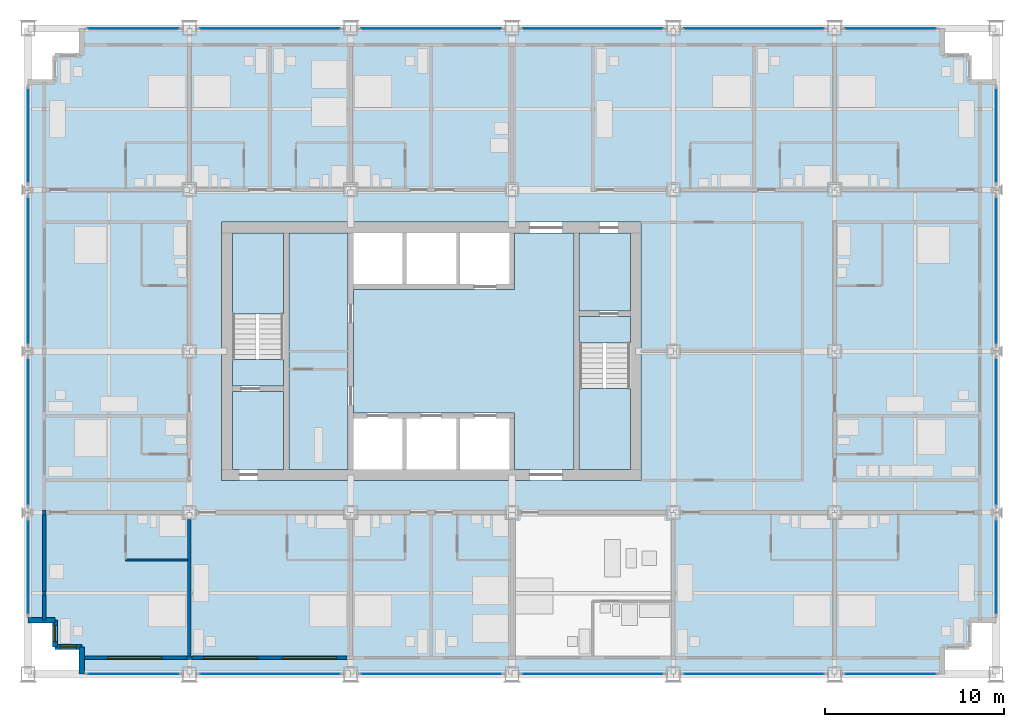
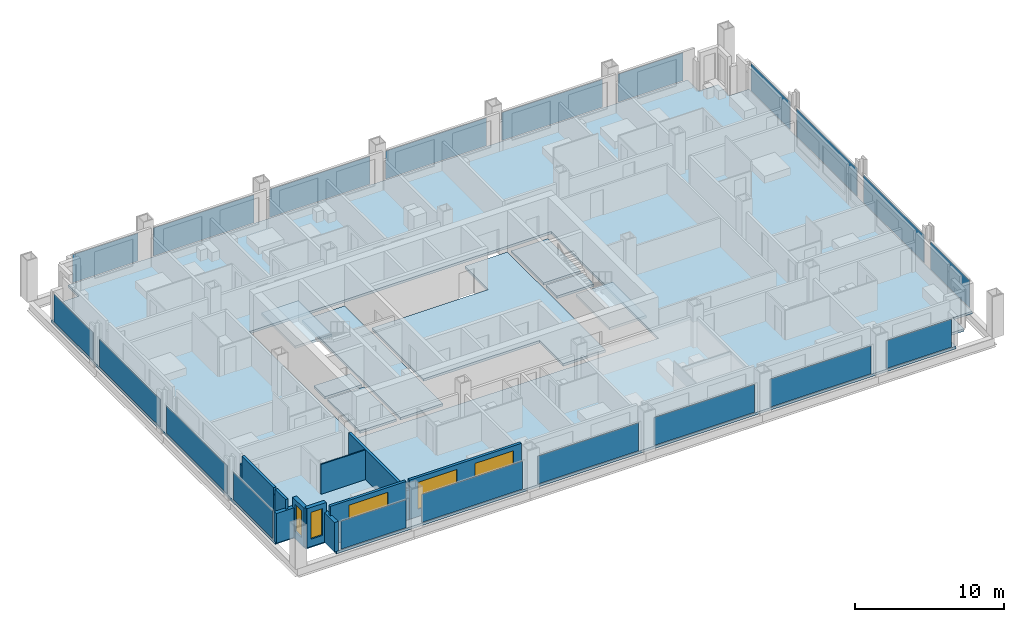
# One storey, part 9 of 18: 20 plates, 13 walls, 9 slabs, 5 windows, 5 openings, 22 elements without a shape of their own.
"""IFC4 building model written with IfcOpenShell, lengths in metres."""

from ifc_helpers import new_model, si_unit, direction, frame, frame_2d, origin, origin_2d, place, context, subcontext, project, spatial, polyline, rectangle, outline, extrude, material, layer, layer_set, type_object, element, fill, aggregate, save


model = new_model("IFC4")

# Units and contexts
model_context = context("Model", 3, precision=1e-05, world=origin(), true_north=direction((0.0, 1.0)))
body_context = subcontext(model_context, "Body", "Model", "MODEL_VIEW")
ifc_project = project(units=[si_unit("LENGTHUNIT", "METRE"), si_unit("AREAUNIT", "SQUARE_METRE"), si_unit("VOLUMEUNIT", "CUBIC_METRE"), si_unit("PLANEANGLEUNIT", "RADIAN"), si_unit("MASSUNIT", "GRAM", prefix="KILO")], contexts=[model_context])

# Site, building, storey
site_placement = place(None, origin())
site = spatial("IfcSite", under=ifc_project, at=site_placement, CompositionType="ELEMENT")
building_placement = place(site_placement, origin())
building = spatial("IfcBuilding", under=site, at=building_placement, Name="Loomwork Tower", CompositionType="ELEMENT")
storey_placement = place(building_placement, frame((0.0, 0.0, 65.39990234375)))
storey = spatial("IfcBuildingStorey", under=building, at=storey_placement, Name="L16", CompositionType="ELEMENT", Elevation=65.39990234375)

# Slabs
ifc_material_1 = material(Name="Concrete 5000 psi (34 MPa) on composite metal deck", Category="concrete")
ifc_layer_1 = layer(ifc_material_1, 0.199951171875)
ifc_layer_set_1 = layer_set([ifc_layer_1], Name="Floor slab 200")
slab_type_1 = type_object("IfcSlabType", Name="Floor slab 200", PredefinedType="FLOOR", material=ifc_layer_set_1)
slab_1_placement = place(storey_placement, frame((0.0, 0.0, -0.199951171875)))
element("IfcSlab", 1, at=slab_1_placement, inside=storey, type_object=slab_type_1, Name="Floor slab L16", PredefinedType="FLOOR", context=body_context, shape_type="SweptSolid", body=[
    extrude(outline(polyline([(3.0, 1.5), (1.5, 1.5), (1.5, 3.0), (0.0, 3.0), (0.0, 33.0), (1.5, 33.0), (1.5, 34.5), (3.0, 34.5), (3.0, 36.0), (51.0, 36.0), (51.0, 34.5), (52.5, 34.5), (52.5, 33.0), (54.0, 33.0), (54.0, 3.0), (52.5, 3.0), (52.5, 1.5), (51.0, 1.5), (51.0, 0.0), (3.0, 0.0), (3.0, 1.5)]), holes=[polyline([(10.800048828125, 11.39990234375), (10.800048828125, 11.39990234375), (10.800048828125, 10.800048828125), (34.199951171875, 10.800048828125), (34.199951171875, 11.39990234375), (34.199951171875, 11.39990234375), (34.199951171875, 24.60009765625), (34.199951171875, 25.199951171875), (10.800048828125, 25.199951171875), (10.800048828125, 24.60009765625), (10.800048828125, 11.39990234375)])]), origin(), (0.0, 0.0, 1.0), 0.199951171875),
])
slab_2_placement = place(storey_placement, frame((0.0, 0.0, -0.199951171875)))
element("IfcSlab", 2, at=slab_2_placement, inside=storey, type_object=slab_type_1, Name="Floor slab L16", PredefinedType="FLOOR", context=body_context, shape_type="SweptSolid", body=[
    extrude(outline(polyline([(30.449951171875, 24.60009765625), (30.449951171875, 11.39990234375), (27.14990234375, 11.39990234375), (27.14990234375, 14.25), (27.14990234375, 14.550048828125), (18.14990234375, 14.550048828125), (18.14990234375, 21.449951171875), (27.14990234375, 21.449951171875), (27.14990234375, 21.75), (27.14990234375, 24.60009765625), (30.449951171875, 24.60009765625)])), origin(), (0.0, 0.0, 1.0), 0.199951171875),
])
slab_3_placement = place(storey_placement, frame((0.0, 0.0, -0.199951171875)))
element("IfcSlab", 3, at=slab_3_placement, inside=storey, type_object=slab_type_1, Name="Floor slab L16", PredefinedType="FLOOR", context=body_context, shape_type="SweptSolid", body=[
    extrude(outline(polyline([(14.550048828125, 11.39990234375), (14.550048828125, 24.60009765625), (17.85009765625, 24.60009765625), (17.85009765625, 11.39990234375), (14.550048828125, 11.39990234375)])), origin(), (0.0, 0.0, 1.0), 0.199951171875),
])
slab_4_placement = place(storey_placement, frame((0.0, 0.0, -0.199951171875)))
element("IfcSlab", 4, at=slab_4_placement, inside=storey, type_object=slab_type_1, Name="Floor slab L16", PredefinedType="FLOOR", context=body_context, shape_type="SweptSolid", body=[
    extrude(outline(polyline([(33.60009765625, 20.25), (30.75, 20.25), (30.75, 24.60009765625), (33.60009765625, 24.60009765625), (33.60009765625, 20.25)])), origin(), (0.0, 0.0, 1.0), 0.199951171875),
])
slab_5_placement = place(storey_placement, frame((0.0, 0.0, -0.199951171875)))
element("IfcSlab", 5, at=slab_5_placement, inside=storey, type_object=slab_type_1, Name="Floor slab L16", PredefinedType="FLOOR", context=body_context, shape_type="SweptSolid", body=[
    extrude(outline(polyline([(14.25, 15.75), (14.25, 11.39990234375), (11.39990234375, 11.39990234375), (11.39990234375, 15.75), (14.25, 15.75)])), origin(), (0.0, 0.0, 1.0), 0.199951171875),
])

# Curtain wall, plate
ifc_material_2 = material(Name="Aluminium curtain wall frame", Category="aluminium")
curtain_wall_type = type_object("IfcCurtainWallType", Name="Outer skin glazing hotel", PredefinedType="NOTDEFINED", material=ifc_material_2)
curtain_wall_1_placement = place(storey_placement, origin())
curtain_wall_1 = element("IfcCurtainWall", 6, at=curtain_wall_1_placement, inside=storey, type_object=curtain_wall_type, Name="Outer skin glazing hotel cw/S-0", PredefinedType="NOTDEFINED")
ifc_material_3 = material(Name="Clear laminated glass", Category="glass")
ifc_layer_2 = layer(ifc_material_3, 0.02392578125)
ifc_layer_set_2 = layer_set([ifc_layer_2], Name="Outer skin glazing hotel panel")
plate_type = type_object("IfcPlateType", Name="Outer skin glazing hotel panel", PredefinedType="CURTAIN_PANEL", material=ifc_layer_set_2)
plate_1_placement = place(storey_placement, frame((5.875, 0.0, 0.06494140625), z_axis=(0.0, 0.0, 1.0), x_axis=(1.0, 0.0, 0.0)))
plate_1 = element("IfcPlate", 7, at=plate_1_placement, type_object=plate_type, Name="CW1 panel 1.1", PredefinedType="CURTAIN_PANEL", context=body_context, shape_type="SweptSolid", body=[
    extrude(rectangle(XDim=5.050048828125, YDim=0.02392578125, at=origin_2d()), origin(), (0.0, 0.0, 1.0), 2.290283203125),
])
aggregate(curtain_wall_1, [plate_1])

curtain_wall_2_placement = place(storey_placement, origin())
curtain_wall_2 = element("IfcCurtainWall", 8, at=curtain_wall_2_placement, inside=storey, type_object=curtain_wall_type, Name="Outer skin glazing hotel cw/S-9", PredefinedType="NOTDEFINED")
plate_2_placement = place(storey_placement, frame((13.5, 0.0, 0.06494140625), z_axis=(0.0, 0.0, 1.0), x_axis=(1.0, 0.0, 0.0)))
plate_2 = element("IfcPlate", 9, at=plate_2_placement, type_object=plate_type, Name="CW1 panel 1.1", PredefinedType="CURTAIN_PANEL", context=body_context, shape_type="SweptSolid", body=[
    extrude(rectangle(XDim=7.800048828125, YDim=0.02392578125, at=origin_2d()), origin(), (0.0, 0.0, 1.0), 2.290283203125),
])
aggregate(curtain_wall_2, [plate_2])

curtain_wall_3_placement = place(storey_placement, origin())
curtain_wall_3 = element("IfcCurtainWall", 10, at=curtain_wall_3_placement, inside=storey, type_object=curtain_wall_type, Name="Outer skin glazing hotel cw/S-18", PredefinedType="NOTDEFINED")
plate_3_placement = place(storey_placement, frame((22.5, 0.0, 0.06494140625), z_axis=(0.0, 0.0, 1.0), x_axis=(1.0, 0.0, 0.0)))
plate_3 = element("IfcPlate", 11, at=plate_3_placement, type_object=plate_type, Name="CW1 panel 1.1", PredefinedType="CURTAIN_PANEL", context=body_context, shape_type="SweptSolid", body=[
    extrude(rectangle(XDim=7.800048828125, YDim=0.02392578125, at=origin_2d()), origin(), (0.0, 0.0, 1.0), 2.290283203125),
])
aggregate(curtain_wall_3, [plate_3])

curtain_wall_4_placement = place(storey_placement, origin())
curtain_wall_4 = element("IfcCurtainWall", 12, at=curtain_wall_4_placement, inside=storey, type_object=curtain_wall_type, Name="Outer skin glazing hotel cw/S-27", PredefinedType="NOTDEFINED")
plate_4_placement = place(storey_placement, frame((31.5, 0.0, 0.06494140625), z_axis=(0.0, 0.0, 1.0), x_axis=(1.0, 0.0, 0.0)))
plate_4 = element("IfcPlate", 13, at=plate_4_placement, type_object=plate_type, Name="CW1 panel 1.1", PredefinedType="CURTAIN_PANEL", context=body_context, shape_type="SweptSolid", body=[
    extrude(rectangle(XDim=7.800048828125, YDim=0.02392578125, at=origin_2d()), origin(), (0.0, 0.0, 1.0), 2.290283203125),
])
aggregate(curtain_wall_4, [plate_4])

curtain_wall_5_placement = place(storey_placement, origin())
curtain_wall_5 = element("IfcCurtainWall", 14, at=curtain_wall_5_placement, inside=storey, type_object=curtain_wall_type, Name="Outer skin glazing hotel cw/S-36", PredefinedType="NOTDEFINED")
plate_5_placement = place(storey_placement, frame((40.5, 0.0, 0.06494140625), z_axis=(0.0, 0.0, 1.0), x_axis=(1.0, 0.0, 0.0)))
plate_5 = element("IfcPlate", 15, at=plate_5_placement, type_object=plate_type, Name="CW1 panel 1.1", PredefinedType="CURTAIN_PANEL", context=body_context, shape_type="SweptSolid", body=[
    extrude(rectangle(XDim=7.800048828125, YDim=0.02392578125, at=origin_2d()), origin(), (0.0, 0.0, 1.0), 2.290283203125),
])
aggregate(curtain_wall_5, [plate_5])

curtain_wall_6_placement = place(storey_placement, origin())
curtain_wall_6 = element("IfcCurtainWall", 16, at=curtain_wall_6_placement, inside=storey, type_object=curtain_wall_type, Name="Outer skin glazing hotel cw/S-45", PredefinedType="NOTDEFINED")
plate_6_placement = place(storey_placement, frame((48.125, 0.0, 0.06494140625), z_axis=(0.0, 0.0, 1.0), x_axis=(1.0, 0.0, 0.0)))
plate_6 = element("IfcPlate", 17, at=plate_6_placement, type_object=plate_type, Name="CW1 panel 1.1", PredefinedType="CURTAIN_PANEL", context=body_context, shape_type="SweptSolid", body=[
    extrude(rectangle(XDim=5.050048828125, YDim=0.02392578125, at=origin_2d()), origin(), (0.0, 0.0, 1.0), 2.290283203125),
])
aggregate(curtain_wall_6, [plate_6])

curtain_wall_7_placement = place(storey_placement, origin())
curtain_wall_7 = element("IfcCurtainWall", 18, at=curtain_wall_7_placement, inside=storey, type_object=curtain_wall_type, Name="Outer skin glazing hotel cw/N-0", PredefinedType="NOTDEFINED")
plate_7_placement = place(storey_placement, frame((5.875, 36.0, 0.06494140625), z_axis=(0.0, 0.0, 1.0), x_axis=(-1.0, 0.0, 0.0)))
plate_7 = element("IfcPlate", 19, at=plate_7_placement, type_object=plate_type, Name="CW1 panel 1.1", PredefinedType="CURTAIN_PANEL", context=body_context, shape_type="SweptSolid", body=[
    extrude(rectangle(XDim=5.050048828125, YDim=0.02392578125, at=origin_2d()), origin(), (0.0, 0.0, 1.0), 2.290283203125),
])
aggregate(curtain_wall_7, [plate_7])

curtain_wall_8_placement = place(storey_placement, origin())
curtain_wall_8 = element("IfcCurtainWall", 20, at=curtain_wall_8_placement, inside=storey, type_object=curtain_wall_type, Name="Outer skin glazing hotel cw/N-9", PredefinedType="NOTDEFINED")
plate_8_placement = place(storey_placement, frame((13.5, 36.0, 0.06494140625), z_axis=(0.0, 0.0, 1.0), x_axis=(-1.0, 0.0, 0.0)))
plate_8 = element("IfcPlate", 21, at=plate_8_placement, type_object=plate_type, Name="CW1 panel 1.1", PredefinedType="CURTAIN_PANEL", context=body_context, shape_type="SweptSolid", body=[
    extrude(rectangle(XDim=7.800048828125, YDim=0.02392578125, at=origin_2d()), origin(), (0.0, 0.0, 1.0), 2.290283203125),
])
aggregate(curtain_wall_8, [plate_8])

curtain_wall_9_placement = place(storey_placement, origin())
curtain_wall_9 = element("IfcCurtainWall", 22, at=curtain_wall_9_placement, inside=storey, type_object=curtain_wall_type, Name="Outer skin glazing hotel cw/N-18", PredefinedType="NOTDEFINED")
plate_9_placement = place(storey_placement, frame((22.5, 36.0, 0.06494140625), z_axis=(0.0, 0.0, 1.0), x_axis=(-1.0, 0.0, 0.0)))
plate_9 = element("IfcPlate", 23, at=plate_9_placement, type_object=plate_type, Name="CW1 panel 1.1", PredefinedType="CURTAIN_PANEL", context=body_context, shape_type="SweptSolid", body=[
    extrude(rectangle(XDim=7.800048828125, YDim=0.02392578125, at=origin_2d()), origin(), (0.0, 0.0, 1.0), 2.290283203125),
])
aggregate(curtain_wall_9, [plate_9])

curtain_wall_10_placement = place(storey_placement, origin())
curtain_wall_10 = element("IfcCurtainWall", 24, at=curtain_wall_10_placement, inside=storey, type_object=curtain_wall_type, Name="Outer skin glazing hotel cw/N-27", PredefinedType="NOTDEFINED")
plate_10_placement = place(storey_placement, frame((31.5, 36.0, 0.06494140625), z_axis=(0.0, 0.0, 1.0), x_axis=(-1.0, 0.0, 0.0)))
plate_10 = element("IfcPlate", 25, at=plate_10_placement, type_object=plate_type, Name="CW1 panel 1.1", PredefinedType="CURTAIN_PANEL", context=body_context, shape_type="SweptSolid", body=[
    extrude(rectangle(XDim=7.800048828125, YDim=0.02392578125, at=origin_2d()), origin(), (0.0, 0.0, 1.0), 2.290283203125),
])
aggregate(curtain_wall_10, [plate_10])

curtain_wall_11_placement = place(storey_placement, origin())
curtain_wall_11 = element("IfcCurtainWall", 26, at=curtain_wall_11_placement, inside=storey, type_object=curtain_wall_type, Name="Outer skin glazing hotel cw/N-36", PredefinedType="NOTDEFINED")
plate_11_placement = place(storey_placement, frame((40.5, 36.0, 0.06494140625), z_axis=(0.0, 0.0, 1.0), x_axis=(-1.0, 0.0, 0.0)))
plate_11 = element("IfcPlate", 27, at=plate_11_placement, type_object=plate_type, Name="CW1 panel 1.1", PredefinedType="CURTAIN_PANEL", context=body_context, shape_type="SweptSolid", body=[
    extrude(rectangle(XDim=7.800048828125, YDim=0.02392578125, at=origin_2d()), origin(), (0.0, 0.0, 1.0), 2.290283203125),
])
aggregate(curtain_wall_11, [plate_11])

curtain_wall_12_placement = place(storey_placement, origin())
curtain_wall_12 = element("IfcCurtainWall", 28, at=curtain_wall_12_placement, inside=storey, type_object=curtain_wall_type, Name="Outer skin glazing hotel cw/N-45", PredefinedType="NOTDEFINED")
plate_12_placement = place(storey_placement, frame((48.125, 36.0, 0.06494140625), z_axis=(0.0, 0.0, 1.0), x_axis=(-1.0, 0.0, 0.0)))
plate_12 = element("IfcPlate", 29, at=plate_12_placement, type_object=plate_type, Name="CW1 panel 1.1", PredefinedType="CURTAIN_PANEL", context=body_context, shape_type="SweptSolid", body=[
    extrude(rectangle(XDim=5.050048828125, YDim=0.02392578125, at=origin_2d()), origin(), (0.0, 0.0, 1.0), 2.290283203125),
])
aggregate(curtain_wall_12, [plate_12])

curtain_wall_13_placement = place(storey_placement, origin())
curtain_wall_13 = element("IfcCurtainWall", 30, at=curtain_wall_13_placement, inside=storey, type_object=curtain_wall_type, Name="Outer skin glazing hotel cw/W-0", PredefinedType="NOTDEFINED")
plate_13_placement = place(storey_placement, frame((0.0, 5.96142578125, 0.06494140625), z_axis=(0.0, 0.0, 1.0), x_axis=(0.0, -1.0, 0.0)))
plate_13 = element("IfcPlate", 31, at=plate_13_placement, type_object=plate_type, Name="CW1 panel 1.1", PredefinedType="CURTAIN_PANEL", context=body_context, shape_type="SweptSolid", body=[
    extrude(rectangle(XDim=5.22265625, YDim=0.02392578125, at=origin_2d()), origin(), (0.0, 0.0, 1.0), 2.290283203125),
])
aggregate(curtain_wall_13, [plate_13])

curtain_wall_14_placement = place(storey_placement, origin())
curtain_wall_14 = element("IfcCurtainWall", 32, at=curtain_wall_14_placement, inside=storey, type_object=curtain_wall_type, Name="Outer skin glazing hotel cw/W-9", PredefinedType="NOTDEFINED")
plate_14_placement = place(storey_placement, frame((0.0, 13.5, 0.06494140625), z_axis=(0.0, 0.0, 1.0), x_axis=(0.0, -1.0, 0.0)))
plate_14 = element("IfcPlate", 33, at=plate_14_placement, type_object=plate_type, Name="CW1 panel 1.1", PredefinedType="CURTAIN_PANEL", context=body_context, shape_type="SweptSolid", body=[
    extrude(rectangle(XDim=8.1455078125, YDim=0.02392578125, at=origin_2d()), origin(), (0.0, 0.0, 1.0), 2.290283203125),
])
aggregate(curtain_wall_14, [plate_14])

curtain_wall_15_placement = place(storey_placement, origin())
curtain_wall_15 = element("IfcCurtainWall", 34, at=curtain_wall_15_placement, inside=storey, type_object=curtain_wall_type, Name="Outer skin glazing hotel cw/W-18", PredefinedType="NOTDEFINED")
plate_15_placement = place(storey_placement, frame((0.0, 22.5, 0.06494140625), z_axis=(0.0, 0.0, 1.0), x_axis=(0.0, -1.0, 0.0)))
plate_15 = element("IfcPlate", 35, at=plate_15_placement, type_object=plate_type, Name="CW1 panel 1.1", PredefinedType="CURTAIN_PANEL", context=body_context, shape_type="SweptSolid", body=[
    extrude(rectangle(XDim=8.1455078125, YDim=0.02392578125, at=origin_2d()), origin(), (0.0, 0.0, 1.0), 2.290283203125),
])
aggregate(curtain_wall_15, [plate_15])

curtain_wall_16_placement = place(storey_placement, origin())
curtain_wall_16 = element("IfcCurtainWall", 36, at=curtain_wall_16_placement, inside=storey, type_object=curtain_wall_type, Name="Outer skin glazing hotel cw/W-27", PredefinedType="NOTDEFINED")
plate_16_placement = place(storey_placement, frame((0.0, 30.03857421875, 0.06494140625), z_axis=(0.0, 0.0, 1.0), x_axis=(0.0, -1.0, 0.0)))
plate_16 = element("IfcPlate", 37, at=plate_16_placement, type_object=plate_type, Name="CW1 panel 1.1", PredefinedType="CURTAIN_PANEL", context=body_context, shape_type="SweptSolid", body=[
    extrude(rectangle(XDim=5.22265625, YDim=0.02392578125, at=origin_2d()), origin(), (0.0, 0.0, 1.0), 2.290283203125),
])
aggregate(curtain_wall_16, [plate_16])

curtain_wall_17_placement = place(storey_placement, origin())
curtain_wall_17 = element("IfcCurtainWall", 38, at=curtain_wall_17_placement, inside=storey, type_object=curtain_wall_type, Name="Outer skin glazing hotel cw/E-0", PredefinedType="NOTDEFINED")
plate_17_placement = place(storey_placement, frame((54.0, 5.96142578125, 0.06494140625), z_axis=(0.0, 0.0, 1.0), x_axis=(0.0, 1.0, 0.0)))
plate_17 = element("IfcPlate", 39, at=plate_17_placement, type_object=plate_type, Name="CW1 panel 1.1", PredefinedType="CURTAIN_PANEL", context=body_context, shape_type="SweptSolid", body=[
    extrude(rectangle(XDim=5.22265625, YDim=0.02392578125, at=origin_2d()), origin(), (0.0, 0.0, 1.0), 2.290283203125),
])
aggregate(curtain_wall_17, [plate_17])

curtain_wall_18_placement = place(storey_placement, origin())
curtain_wall_18 = element("IfcCurtainWall", 40, at=curtain_wall_18_placement, inside=storey, type_object=curtain_wall_type, Name="Outer skin glazing hotel cw/E-9", PredefinedType="NOTDEFINED")
plate_18_placement = place(storey_placement, frame((54.0, 13.5, 0.06494140625), z_axis=(0.0, 0.0, 1.0), x_axis=(0.0, 1.0, 0.0)))
plate_18 = element("IfcPlate", 41, at=plate_18_placement, type_object=plate_type, Name="CW1 panel 1.1", PredefinedType="CURTAIN_PANEL", context=body_context, shape_type="SweptSolid", body=[
    extrude(rectangle(XDim=8.1455078125, YDim=0.02392578125, at=origin_2d()), origin(), (0.0, 0.0, 1.0), 2.290283203125),
])
aggregate(curtain_wall_18, [plate_18])

curtain_wall_19_placement = place(storey_placement, origin())
curtain_wall_19 = element("IfcCurtainWall", 42, at=curtain_wall_19_placement, inside=storey, type_object=curtain_wall_type, Name="Outer skin glazing hotel cw/E-18", PredefinedType="NOTDEFINED")
plate_19_placement = place(storey_placement, frame((54.0, 22.5, 0.06494140625), z_axis=(0.0, 0.0, 1.0), x_axis=(0.0, 1.0, 0.0)))
plate_19 = element("IfcPlate", 43, at=plate_19_placement, type_object=plate_type, Name="CW1 panel 1.1", PredefinedType="CURTAIN_PANEL", context=body_context, shape_type="SweptSolid", body=[
    extrude(rectangle(XDim=8.1455078125, YDim=0.02392578125, at=origin_2d()), origin(), (0.0, 0.0, 1.0), 2.290283203125),
])
aggregate(curtain_wall_19, [plate_19])

curtain_wall_20_placement = place(storey_placement, origin())
curtain_wall_20 = element("IfcCurtainWall", 44, at=curtain_wall_20_placement, inside=storey, type_object=curtain_wall_type, Name="Outer skin glazing hotel cw/E-27", PredefinedType="NOTDEFINED")
plate_20_placement = place(storey_placement, frame((54.0, 30.03857421875, 0.06494140625), z_axis=(0.0, 0.0, 1.0), x_axis=(0.0, 1.0, 0.0)))
plate_20 = element("IfcPlate", 45, at=plate_20_placement, type_object=plate_type, Name="CW1 panel 1.1", PredefinedType="CURTAIN_PANEL", context=body_context, shape_type="SweptSolid", body=[
    extrude(rectangle(XDim=5.22265625, YDim=0.02392578125, at=origin_2d()), origin(), (0.0, 0.0, 1.0), 2.290283203125),
])
aggregate(curtain_wall_20, [plate_20])

# Stair, slabs
ifc_material_4 = material(Name="Concrete 5000 psi (34 MPa) precast stair", Category="concrete")
stair_type_1 = type_object("IfcStairType", Name="Stair ST-A 20 risers 2850 wide", PredefinedType="HALF_TURN_STAIR", material=ifc_material_4)
stair_1_placement = place(storey_placement, origin())
stair_1 = element("IfcStair", 46, at=stair_1_placement, inside=storey, type_object=stair_type_1, Name="Stair A L16", PredefinedType="HALF_TURN_STAIR")
ifc_material_5 = material(Name="Concrete 5000 psi (34 MPa)", Category="concrete")
ifc_layer_3 = layer(ifc_material_5, 0.199951171875)
ifc_layer_set_3 = layer_set([ifc_layer_3], Name="Stair landing 200")
slab_type_2 = type_object("IfcSlabType", Name="Stair landing 200", PredefinedType="LANDING", material=ifc_layer_set_3)
slab_6_placement = place(storey_placement, frame((0.0, 0.0, -0.199951171875)))
slab_6 = element("IfcSlab", 47, at=slab_6_placement, type_object=slab_type_2, Name="ST-A landing 1", PredefinedType="LANDING", context=body_context, shape_type="SweptSolid", body=[
    extrude(outline(polyline([(11.39990234375, 16.050048828125), (14.25, 16.050048828125), (14.25, 17.550048828125), (11.39990234375, 17.550048828125), (11.39990234375, 16.050048828125)])), origin(), (0.0, 0.0, 1.0), 0.199951171875),
])
slab_7_placement = place(storey_placement, frame((0.0, 0.0, 1.5)))
slab_7 = element("IfcSlab", 48, at=slab_7_placement, type_object=slab_type_2, Name="ST-A landing 2", PredefinedType="LANDING", context=body_context, shape_type="SweptSolid", body=[
    extrude(outline(polyline([(11.39990234375, 20.070068359375), (14.25, 20.070068359375), (14.25, 24.60009765625), (11.39990234375, 24.60009765625), (11.39990234375, 20.070068359375)])), origin(), (0.0, 0.0, 1.0), 0.2001953125),
])
aggregate(stair_1, [slab_6, slab_7])

ifc_material_6 = material(Name="Concrete 5000 psi (34 MPa) precast stair", Category="concrete")
stair_type_2 = type_object("IfcStairType", Name="Stair ST-B 20 risers 2850 wide", PredefinedType="HALF_TURN_STAIR", material=ifc_material_6)
stair_2_placement = place(storey_placement, origin())
stair_2 = element("IfcStair", 49, at=stair_2_placement, inside=storey, type_object=stair_type_2, Name="Stair B L16", PredefinedType="HALF_TURN_STAIR")
slab_8_placement = place(storey_placement, frame((0.0, 0.0, -0.199951171875)))
slab_8 = element("IfcSlab", 50, at=slab_8_placement, type_object=slab_type_2, Name="ST-B landing 1", PredefinedType="LANDING", context=body_context, shape_type="SweptSolid", body=[
    extrude(outline(polyline([(30.75, 18.449951171875), (33.60009765625, 18.449951171875), (33.60009765625, 19.949951171875), (30.75, 19.949951171875), (30.75, 18.449951171875)])), origin(), (0.0, 0.0, 1.0), 0.199951171875),
])
slab_9_placement = place(storey_placement, frame((0.0, 0.0, 1.5)))
slab_9 = element("IfcSlab", 51, at=slab_9_placement, type_object=slab_type_2, Name="ST-B landing 2", PredefinedType="LANDING", context=body_context, shape_type="SweptSolid", body=[
    extrude(outline(polyline([(30.75, 11.39990234375), (33.60009765625, 11.39990234375), (33.60009765625, 15.929931640625), (30.75, 15.929931640625), (30.75, 11.39990234375)])), origin(), (0.0, 0.0, 1.0), 0.2001953125),
])
aggregate(stair_2, [slab_8, slab_9])

# Walls
ifc_material_7 = material(Name="Cement board on steel studs", Category="steel")
ifc_layer_4 = layer(ifc_material_7, 0.10009765625)
ifc_layer_set_4 = layer_set([ifc_layer_4], Name="En-suite partition 100")
wall_type_1 = type_object("IfcWallType", Name="En-suite partition 100", PredefinedType="PARTITIONING", material=ifc_layer_set_4)
wall_1_placement = place(storey_placement, frame((5.449951171875, 6.35009765625, 0.0), z_axis=(0.0, 0.0, 1.0), x_axis=(1.0, 0.0, 0.0)))
element("IfcWall", 52, at=wall_1_placement, inside=storey, type_object=wall_type_1, Name="En-suite wall L16 room 1", PredefinedType="PARTITIONING", context=body_context, shape_type="SweptSolid", body=[
    extrude(rectangle(XDim=3.449951171875, YDim=0.10009765625, at=frame_2d((1.72509765625, 0.0))), origin(), (0.0, 0.0, 1.0), 2.43798828125),
])
ifc_material_8 = material(Name="Gypsum board on steel studs, acoustic", Category="steel")
ifc_layer_5 = layer(ifc_material_8, 0.199951171875)
ifc_layer_set_5 = layer_set([ifc_layer_5], Name="Guest room party wall 200")
wall_type_2 = type_object("IfcWallType", Name="Guest room party wall 200", PredefinedType="PARTITIONING", material=ifc_layer_set_5)
wall_2_placement = place(storey_placement, frame((9.0, 8.60009765625, 0.0), z_axis=(0.0, 0.0, 1.0), x_axis=(0.0, -1.0, 0.0)))
element("IfcWall", 53, at=wall_2_placement, inside=storey, type_object=wall_type_2, Name="Guest room party wall S 9", PredefinedType="PARTITIONING", context=body_context, shape_type="SweptSolid", body=[
    extrude(rectangle(XDim=7.60009765625, YDim=0.199951171875, at=frame_2d((3.800048828125, 0.0))), origin(), (0.0, 0.0, 1.0), 2.43798828125),
])

# Wall, opening, window
ifc_material_9 = material(Name="Insulated steel stud wall with gypsum lining", Category="steel")
ifc_layer_6 = layer(ifc_material_9, 0.199951171875)
ifc_layer_set_6 = layer_set([ifc_layer_6], Name="Inner skin wall 200")
wall_type_3 = type_object("IfcWallType", Name="Inner skin wall 200", PredefinedType="SOLIDWALL", material=ifc_layer_set_6)
wall_3_placement = place(storey_placement, frame((3.0, 0.89990234375, 0.0), z_axis=(0.0, 0.0, 1.0), x_axis=(1.0, 0.0, 0.0)))
wall_3 = element("IfcWall", 54, at=wall_3_placement, inside=storey, type_object=wall_type_3, Name="Inner skin wall S", PredefinedType="SOLIDWALL", context=body_context, shape_type="SweptSolid", body=[
    extrude(rectangle(XDim=5.86474609375, YDim=0.199951171875, at=frame_2d((2.932373046875, 0.0))), origin(), (0.0, 0.0, 1.0), 3.2001953125),
])
opening_1_placement = place(wall_3_placement, frame((1.449951171875, 0.0, 0.60009765625)))
opening_1 = element("IfcOpeningElement", 55, at=opening_1_placement, cuts=wall_3, Name="Opening CH1", PredefinedType="OPENING", context=body_context, shape_type="SweptSolid", body=[
    extrude(rectangle(XDim=3.0, YDim=2.199951171875, at=frame_2d((1.5, 1.10009765625))), frame((0.0, 0.10986328125, 0.0), z_axis=(0.0, -1.0, 0.0), x_axis=(1.0, 0.0, 0.0)), (0.0, 0.0, 1.0), 0.219970703125),
])
ifc_material_10 = material(Name="Aluminium frame with clear insulated glass", Category="aluminium")
window_type_1 = type_object("IfcWindowType", Name="Chicago window 3000", PartitioningType="TRIPLE_PANEL_VERTICAL", PredefinedType="WINDOW", material=ifc_material_10)
window_1_placement = place(opening_1_placement, origin())
window_1 = element("IfcWindow", 56, at=window_1_placement, inside=storey, type_object=window_type_1, Name="Chicago window L16 bay 1", OverallHeight=2.199951171875, OverallWidth=3.0, PartitioningType="TRIPLE_PANEL_VERTICAL", PredefinedType="WINDOW", context=body_context, shape_type="SweptSolid", body=[
    extrude(rectangle(XDim=3.0, YDim=2.199951171875, at=frame_2d((1.5, 1.10009765625))), frame((0.0, 0.030029296875, 0.0), z_axis=(0.0, -1.0, 0.0), x_axis=(1.0, 0.0, 0.0)), (0.0, 0.0, 1.0), 0.06005859375),
])
fill(opening_1, window_1)

# Walls
wall_4_placement = place(storey_placement, frame((0.89990234375, 3.0, 0.0), z_axis=(0.0, 0.0, 1.0), x_axis=(0.0, 1.0, 0.0)))
element("IfcWall", 57, at=wall_4_placement, inside=storey, type_object=wall_type_3, Name="Inner skin wall W", PredefinedType="SOLIDWALL", context=body_context, shape_type="SweptSolid", body=[
    extrude(rectangle(XDim=1.392578125, YDim=0.199951171875, at=frame_2d((0.6962890625, 0.0))), origin(), (0.0, 0.0, 1.0), 3.2001953125),
])
wall_5_placement = place(storey_placement, frame((8.86474609375, 0.89990234375, 0.0), z_axis=(0.0, 0.0, 1.0), x_axis=(1.0, 0.0, 0.0)))
element("IfcWall", 58, at=wall_5_placement, inside=storey, type_object=wall_type_3, Name="Inner skin wall S bay 2", PredefinedType="SOLIDWALL", context=body_context, shape_type="SweptSolid", body=[
    extrude(rectangle(XDim=0.2705078125, YDim=0.199951171875, at=frame_2d((0.13525390625, 0.0))), origin(), (0.0, 0.0, 1.0), 2.43798828125),
])

# Wall, openings, windows
wall_6_placement = place(storey_placement, frame((9.13525390625, 0.89990234375, 0.0), z_axis=(0.0, 0.0, 1.0), x_axis=(1.0, 0.0, 0.0)))
wall_6 = element("IfcWall", 59, at=wall_6_placement, inside=storey, type_object=wall_type_3, Name="Inner skin wall S bay 3", PredefinedType="SOLIDWALL", context=body_context, shape_type="SweptSolid", body=[
    extrude(rectangle(XDim=8.6708984375, YDim=0.199951171875, at=frame_2d((4.33544921875, 0.0))), origin(), (0.0, 0.0, 1.0), 3.2001953125),
])
opening_2_placement = place(wall_6_placement, frame((0.664794921875, 0.0, 0.60009765625)))
opening_2 = element("IfcOpeningElement", 60, at=opening_2_placement, cuts=wall_6, Name="Opening CH1", PredefinedType="OPENING", context=body_context, shape_type="SweptSolid", body=[
    extrude(rectangle(XDim=3.0, YDim=2.199951171875, at=frame_2d((1.5, 1.10009765625))), frame((0.0, 0.10986328125, 0.0), z_axis=(0.0, -1.0, 0.0), x_axis=(1.0, 0.0, 0.0)), (0.0, 0.0, 1.0), 0.219970703125),
])
opening_3_placement = place(wall_6_placement, frame((5.064697265625, 0.0, 0.60009765625)))
opening_3 = element("IfcOpeningElement", 61, at=opening_3_placement, cuts=wall_6, Name="Opening CH1", PredefinedType="OPENING", context=body_context, shape_type="SweptSolid", body=[
    extrude(rectangle(XDim=3.0, YDim=2.199951171875, at=frame_2d((1.5, 1.10009765625))), frame((0.0, 0.10986328125, 0.0), z_axis=(0.0, -1.0, 0.0), x_axis=(1.0, 0.0, 0.0)), (0.0, 0.0, 1.0), 0.219970703125),
])
window_2_placement = place(opening_2_placement, origin())
window_2 = element("IfcWindow", 62, at=window_2_placement, inside=storey, type_object=window_type_1, Name="Chicago window L16 bay 2", OverallHeight=2.199951171875, OverallWidth=3.0, PartitioningType="TRIPLE_PANEL_VERTICAL", PredefinedType="WINDOW", context=body_context, shape_type="SweptSolid", body=[
    extrude(rectangle(XDim=3.0, YDim=2.199951171875, at=frame_2d((1.5, 1.10009765625))), frame((0.0, 0.030029296875, 0.0), z_axis=(0.0, -1.0, 0.0), x_axis=(1.0, 0.0, 0.0)), (0.0, 0.0, 1.0), 0.06005859375),
])
fill(opening_2, window_2)
window_3_placement = place(opening_3_placement, origin())
window_3 = element("IfcWindow", 63, at=window_3_placement, inside=storey, type_object=window_type_1, Name="Chicago window L16 bay 2", OverallHeight=2.199951171875, OverallWidth=3.0, PartitioningType="TRIPLE_PANEL_VERTICAL", PredefinedType="WINDOW", context=body_context, shape_type="SweptSolid", body=[
    extrude(rectangle(XDim=3.0, YDim=2.199951171875, at=frame_2d((1.5, 1.10009765625))), frame((0.0, 0.030029296875, 0.0), z_axis=(0.0, -1.0, 0.0), x_axis=(1.0, 0.0, 0.0)), (0.0, 0.0, 1.0), 0.06005859375),
])
fill(opening_3, window_3)

# Walls
wall_7_placement = place(storey_placement, frame((0.89990234375, 4.392578125, 0.0), z_axis=(0.0, 0.0, 1.0), x_axis=(0.0, 1.0, 0.0)))
element("IfcWall", 64, at=wall_7_placement, inside=storey, type_object=wall_type_3, Name="Inner skin wall W bay 2", PredefinedType="SOLIDWALL", context=body_context, shape_type="SweptSolid", body=[
    extrude(rectangle(XDim=0.21484375, YDim=0.199951171875, at=frame_2d((0.107421875, 0.0))), origin(), (0.0, 0.0, 1.0), 2.6611328125),
])
wall_8_placement = place(storey_placement, frame((0.89990234375, 4.607421875, 0.0), z_axis=(0.0, 0.0, 1.0), x_axis=(0.0, 1.0, 0.0)))
element("IfcWall", 65, at=wall_8_placement, inside=storey, type_object=wall_type_3, Name="Inner skin wall W bay 3", PredefinedType="SOLIDWALL", context=body_context, shape_type="SweptSolid", body=[
    extrude(rectangle(XDim=4.25732421875, YDim=0.199951171875, at=frame_2d((2.128662109375, 0.0))), origin(), (0.0, 0.0, 1.0), 3.2001953125),
])
wall_9_placement = place(storey_placement, frame((0.89990234375, 8.86474609375, 0.0), z_axis=(0.0, 0.0, 1.0), x_axis=(0.0, 1.0, 0.0)))
element("IfcWall", 66, at=wall_9_placement, inside=storey, type_object=wall_type_3, Name="Inner skin wall W bay 4", PredefinedType="SOLIDWALL", context=body_context, shape_type="SweptSolid", body=[
    extrude(rectangle(XDim=0.2705078125, YDim=0.199951171875, at=frame_2d((0.13525390625, 0.0))), origin(), (0.0, 0.0, 1.0), 2.43798828125),
])
ifc_material_11 = material(Name="Limestone on concrete masonry", Category="masonry")
ifc_layer_7 = layer(ifc_material_11, 0.300048828125)
ifc_layer_set_7 = layer_set([ifc_layer_7], Name="Limestone corner wall 300")
wall_type_4 = type_object("IfcWallType", Name="Limestone corner wall 300", PredefinedType="SOLIDWALL", material=ifc_layer_set_7)
wall_10_placement = place(storey_placement, frame((0.0, 3.0, 0.0), z_axis=(0.0, 0.0, 1.0), x_axis=(1.0, 0.0, 0.0)))
element("IfcWall", 67, at=wall_10_placement, inside=storey, type_object=wall_type_4, Name="Stone corner wall SW 1", PredefinedType="SOLIDWALL", context=body_context, shape_type="SweptSolid", body=[
    extrude(rectangle(XDim=1.5, YDim=0.300048828125, at=frame_2d((0.75, 0.0))), origin(), (0.0, 0.0, 1.0), 2.420166015625),
])

# Wall, opening, window
wall_11_placement = place(storey_placement, frame((1.5, 3.0, 0.0), z_axis=(0.0, 0.0, 1.0), x_axis=(0.0, -1.0, 0.0)))
wall_11 = element("IfcWall", 68, at=wall_11_placement, inside=storey, type_object=wall_type_4, Name="Stone corner wall SW 2", PredefinedType="SOLIDWALL", context=body_context, shape_type="SweptSolid", body=[
    extrude(rectangle(XDim=1.5, YDim=0.300048828125, at=frame_2d((0.75, 0.0))), origin(), (0.0, 0.0, 1.0), 3.2001953125),
])
opening_4_placement = place(wall_11_placement, frame((0.300048828125, 0.0, 0.60009765625)))
opening_4 = element("IfcOpeningElement", 69, at=opening_4_placement, cuts=wall_11, Name="Opening CH2", PredefinedType="OPENING", context=body_context, shape_type="SweptSolid", body=[
    extrude(rectangle(XDim=0.89990234375, YDim=2.199951171875, at=frame_2d((0.449951171875, 1.10009765625))), frame((0.0, 0.159912109375, 0.0), z_axis=(0.0, -1.0, 0.0), x_axis=(1.0, 0.0, 0.0)), (0.0, 0.0, 1.0), 0.320068359375),
])
ifc_material_12 = material(Name="Aluminium frame with clear insulated glass", Category="aluminium")
window_type_2 = type_object("IfcWindowType", Name="Corner window 900", PartitioningType="SINGLE_PANEL", PredefinedType="WINDOW", material=ifc_material_12)
window_4_placement = place(opening_4_placement, origin())
window_4 = element("IfcWindow", 70, at=window_4_placement, inside=storey, type_object=window_type_2, Name="Corner window SW", OverallHeight=2.199951171875, OverallWidth=0.89990234375, PartitioningType="SINGLE_PANEL", PredefinedType="WINDOW", context=body_context, shape_type="SweptSolid", body=[
    extrude(rectangle(XDim=0.89990234375, YDim=2.199951171875, at=frame_2d((0.449951171875, 1.10009765625))), frame((0.0, 0.030029296875, 0.0), z_axis=(0.0, -1.0, 0.0), x_axis=(1.0, 0.0, 0.0)), (0.0, 0.0, 1.0), 0.06005859375),
])
fill(opening_4, window_4)

wall_12_placement = place(storey_placement, frame((1.5, 1.5, 0.0), z_axis=(0.0, 0.0, 1.0), x_axis=(1.0, 0.0, 0.0)))
wall_12 = element("IfcWall", 71, at=wall_12_placement, inside=storey, type_object=wall_type_4, Name="Stone corner wall SW 3", PredefinedType="SOLIDWALL", context=body_context, shape_type="SweptSolid", body=[
    extrude(rectangle(XDim=1.5, YDim=0.300048828125, at=frame_2d((0.75, 0.0))), origin(), (0.0, 0.0, 1.0), 3.2001953125),
])
opening_5_placement = place(wall_12_placement, frame((0.300048828125, 0.0, 0.60009765625)))
opening_5 = element("IfcOpeningElement", 72, at=opening_5_placement, cuts=wall_12, Name="Opening CH2", PredefinedType="OPENING", context=body_context, shape_type="SweptSolid", body=[
    extrude(rectangle(XDim=0.89990234375, YDim=2.199951171875, at=frame_2d((0.449951171875, 1.10009765625))), frame((0.0, 0.159912109375, 0.0), z_axis=(0.0, -1.0, 0.0), x_axis=(1.0, 0.0, 0.0)), (0.0, 0.0, 1.0), 0.320068359375),
])
window_5_placement = place(opening_5_placement, origin())
window_5 = element("IfcWindow", 73, at=window_5_placement, inside=storey, type_object=window_type_2, Name="Corner window SW", OverallHeight=2.199951171875, OverallWidth=0.89990234375, PartitioningType="SINGLE_PANEL", PredefinedType="WINDOW", context=body_context, shape_type="SweptSolid", body=[
    extrude(rectangle(XDim=0.89990234375, YDim=2.199951171875, at=frame_2d((0.449951171875, 1.10009765625))), frame((0.0, 0.030029296875, 0.0), z_axis=(0.0, -1.0, 0.0), x_axis=(1.0, 0.0, 0.0)), (0.0, 0.0, 1.0), 0.06005859375),
])
fill(opening_5, window_5)

# Wall
wall_13_placement = place(storey_placement, frame((3.0, 1.5, 0.0), z_axis=(0.0, 0.0, 1.0), x_axis=(0.0, -1.0, 0.0)))
element("IfcWall", 74, at=wall_13_placement, inside=storey, type_object=wall_type_4, Name="Stone corner wall SW 4", PredefinedType="SOLIDWALL", context=body_context, shape_type="SweptSolid", body=[
    extrude(rectangle(XDim=1.5, YDim=0.300048828125, at=frame_2d((0.75, 0.0))), origin(), (0.0, 0.0, 1.0), 2.420166015625),
])

save(model, "model.ifc")
